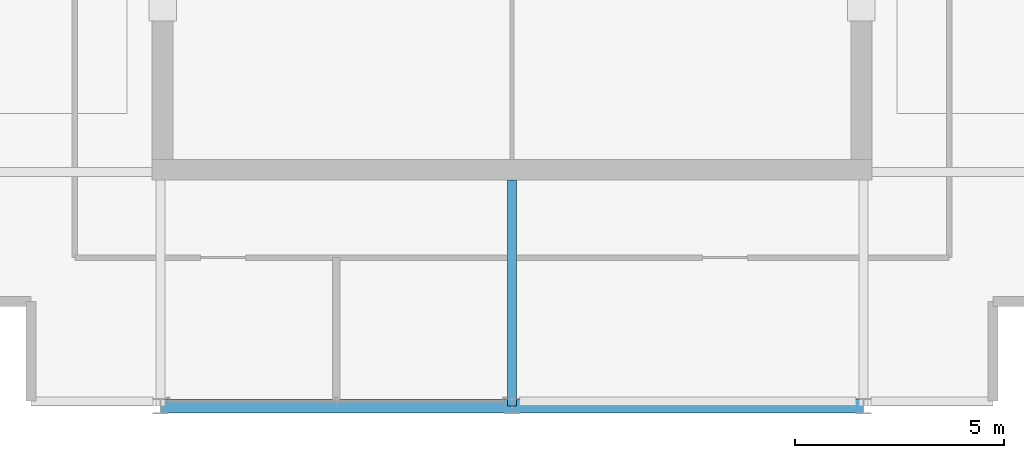
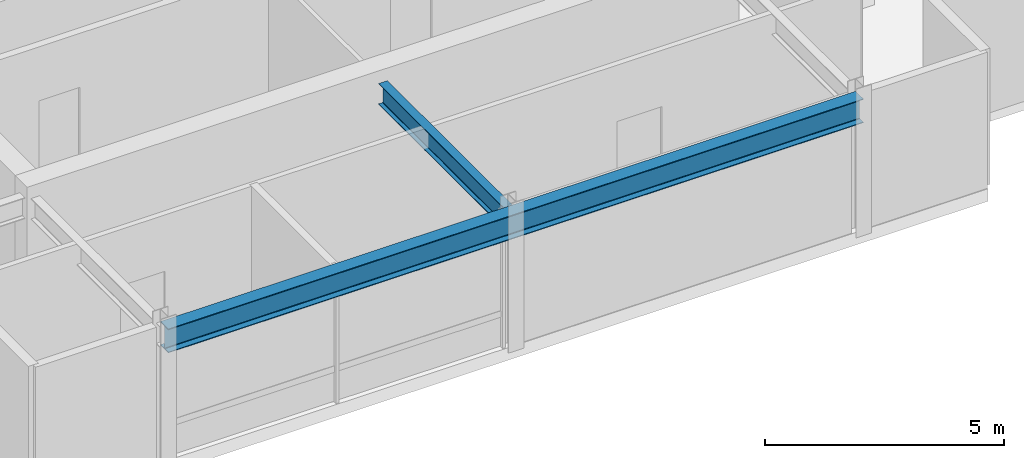
# One storey, part 3 of 12: 2 beams.
"""IFC4 building model written with IfcOpenShell, lengths in metres."""

from ifc_helpers import new_model, si_unit, direction, frame, origin, origin_2d, place, context, subcontext, project, spatial, i_section, extrude, material, material_profile, profile_set, type_object, element, save


model = new_model("IFC4")

# Units and contexts
model_context = context("Model", 3, precision=1e-05, world=origin(), true_north=direction((0.0, 1.0)))
body_context = subcontext(model_context, "Body", "Model", "MODEL_VIEW")
ifc_project = project(units=[si_unit("LENGTHUNIT", "METRE"), si_unit("AREAUNIT", "SQUARE_METRE"), si_unit("VOLUMEUNIT", "CUBIC_METRE"), si_unit("PLANEANGLEUNIT", "RADIAN"), si_unit("MASSUNIT", "GRAM", prefix="KILO")], contexts=[model_context])

# Site, building, storey
site_placement = place(None, origin())
site = spatial("IfcSite", under=ifc_project, at=site_placement, CompositionType="ELEMENT")
building_placement = place(site_placement, origin())
building = spatial("IfcBuilding", under=site, at=building_placement, Name="Drelvath Grand Hotel", CompositionType="ELEMENT")
storey_placement = place(building_placement, frame((0.0, 0.0, 319.39990234375)))
storey = spatial("IfcBuildingStorey", under=building, at=storey_placement, Name="L83", CompositionType="ELEMENT", Elevation=319.39990234375)

# Beams
ifc_material = material(Name="Steel ASTM A992 Gr 50", Category="steel")
ifc_material_profile_1 = material_profile(ifc_material, i_section(OverallWidth=0.210205078125, OverallDepth=0.53662109375, WebThickness=0.010986328125, FlangeThickness=0.017333984375, FilletRadius=0.01806640625, at=origin_2d()), Name="W21X68")
ifc_profile_set_1 = profile_set([ifc_material_profile_1], Name="Steel ASTM A992 Gr 50")
beam_type_1 = type_object("IfcBeamType", Name="Primary Floor Girder W21X68", PredefinedType="BEAM", material=ifc_profile_set_1)
beam_1_placement = place(storey_placement, frame((0.0, 13.0, 3.211669921875), z_axis=(0.0, 1.0, 0.0), x_axis=(-1.0, 0.0, 0.0)))
element("IfcBeam", 1, at=beam_1_placement, inside=storey, type_object=beam_type_1, Name="L83 Crown Drum Tie South 5", PredefinedType="BEAM", context=body_context, shape_type="SweptSolid", body=[
    extrude(i_section(OverallWidth=0.210205078125, OverallDepth=0.53662109375, WebThickness=0.010986328125, FlangeThickness=0.017333984375, FilletRadius=0.01806640625, at=origin_2d()), origin(), (0.0, 0.0, 1.0), 5.39990234375),
])
ifc_material_profile_2 = material_profile(ifc_material, i_section(OverallWidth=0.323974609375, OverallDepth=0.611083984375, WebThickness=0.0126953125, FlangeThickness=0.01904296875, FilletRadius=0.02197265625, at=origin_2d()), Name="W24X104")
ifc_profile_set_2 = profile_set([ifc_material_profile_2], Name="Steel ASTM A992 Gr 50")
beam_type_2 = type_object("IfcBeamType", Name="Primary Floor Girder W24X104", PredefinedType="BEAM", material=ifc_profile_set_2)
beam_2_placement = place(storey_placement, frame((-8.39990234375, 13.0, 3.174560546875), z_axis=(1.0, 0.0, 0.0), x_axis=(0.0, 1.0, 0.0)))
element("IfcBeam", 2, at=beam_2_placement, inside=storey, type_object=beam_type_2, Name="L83 Crown Drum Ring Beam South", PredefinedType="BEAM", context=body_context, shape_type="SweptSolid", body=[
    extrude(i_section(OverallWidth=0.323974609375, OverallDepth=0.611083984375, WebThickness=0.0126953125, FlangeThickness=0.01904296875, FilletRadius=0.02197265625, at=origin_2d()), origin(), (0.0, 0.0, 1.0), 16.7998046875),
])

save(model, "model.ifc")
